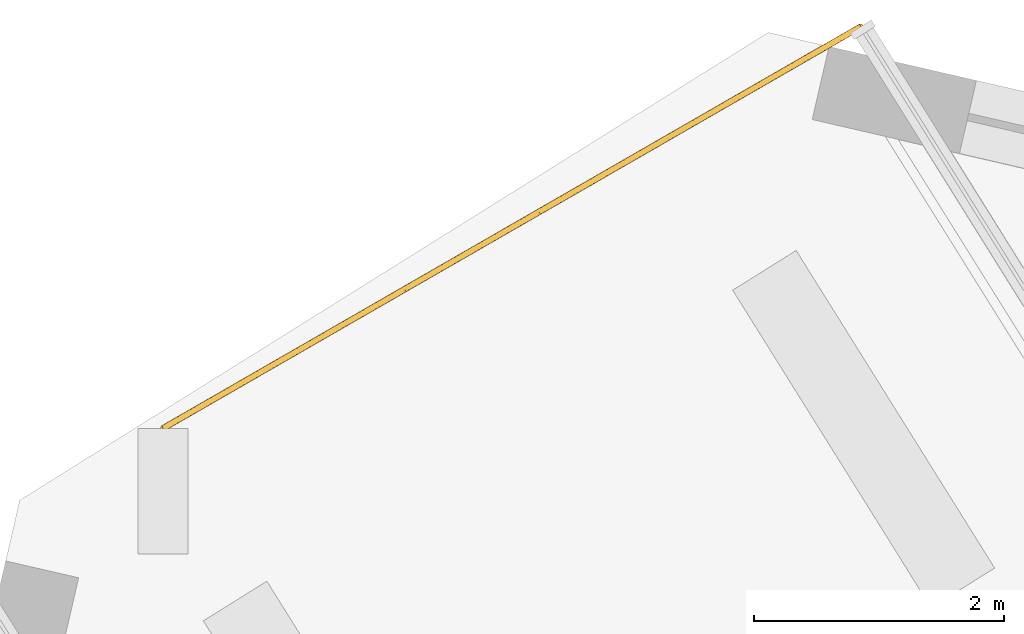
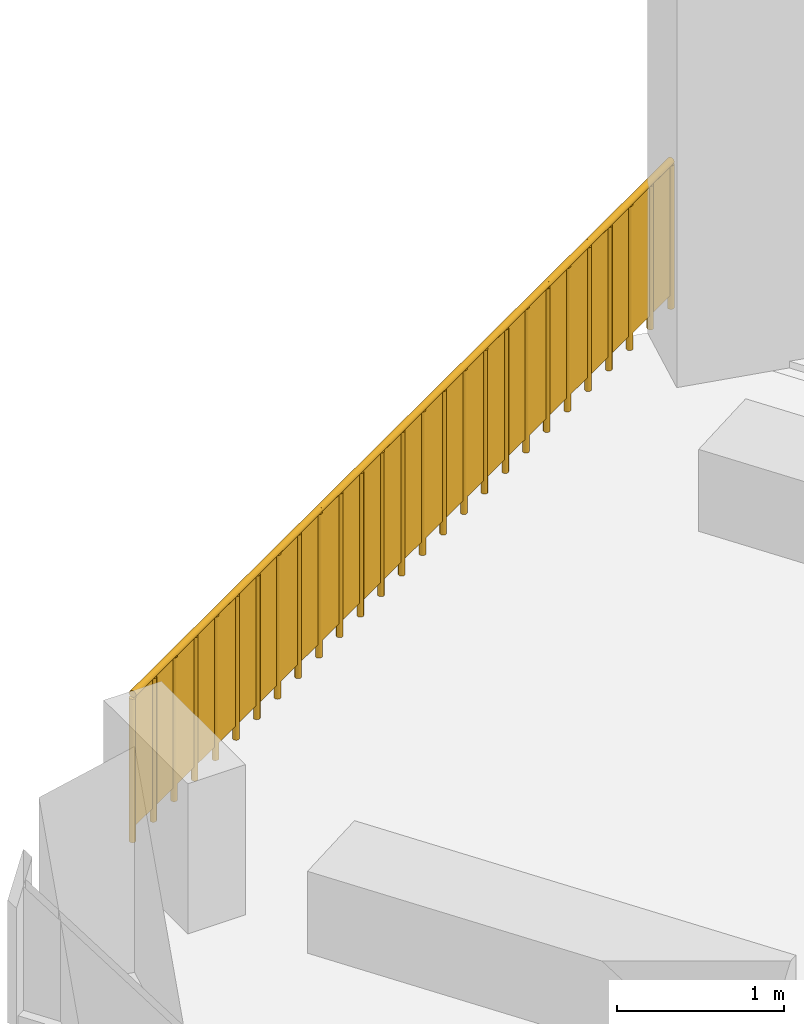
# One storey, part 13 of 14: 1 railing.
"""IFC4 building model written with IfcOpenShell, lengths in metres."""

from ifc_helpers import new_model, si_unit, direction, frame, origin, origin_2d, place, context, subcontext, project, spatial, rectangle, circle, extrude, material, type_object, element, save


model = new_model("IFC4")

# Units and contexts
model_context = context("Model", 3, precision=1e-05, world=origin(), true_north=direction((0.0, 1.0)))
body_context = subcontext(model_context, "Body", "Model", "MODEL_VIEW")
ifc_project = project(units=[si_unit("LENGTHUNIT", "METRE"), si_unit("AREAUNIT", "SQUARE_METRE"), si_unit("VOLUMEUNIT", "CUBIC_METRE"), si_unit("PLANEANGLEUNIT", "RADIAN"), si_unit("MASSUNIT", "GRAM", prefix="KILO")], contexts=[model_context])

# Site, building, storey
site_placement = place(None, origin())
site = spatial("IfcSite", under=ifc_project, at=site_placement, CompositionType="ELEMENT")
building_placement = place(site_placement, origin())
building = spatial("IfcBuilding", under=site, at=building_placement, Name="Dilmun Exchange Tower", CompositionType="ELEMENT")
storey_placement = place(building_placement, frame((0.0, 0.0, 332.5)))
storey = spatial("IfcBuildingStorey", under=building, at=storey_placement, Name="L79", CompositionType="ELEMENT", Elevation=332.5)

# Railing
ifc_material = material(Name="Stainless steel", Category="steel")
railing_type = type_object("IfcRailingType", Name="Terrace guard 1100 stainless steel", PredefinedType="GUARDRAIL", material=ifc_material)
railing_placement = place(storey_placement, frame((-13.946044921875, 34.2265625, 0.0)))
element("IfcRailing", 1, at=railing_placement, inside=storey, type_object=railing_type, Name="Terrace guard 1", PredefinedType="GUARDRAIL", context=body_context, shape_type="SweptSolid", body=[
    extrude(circle(Radius=0.02392578125, at=origin_2d()), frame((0.0, 0.0, 1.076171875), z_axis=(-0.866480498288, -0.499210923445, 0.0), x_axis=(0.499210923445, -0.866480498288, 0.0)), (0.0, 0.0, 1.0), 0.248046875),
    extrude(rectangle(XDim=0.011962890625, YDim=0.951904296875, at=origin_2d()), frame((0.0, 0.0, 0.576171875), z_axis=(-0.866480498288, -0.499210923445, 0.0), x_axis=(0.499210923445, -0.866480498288, 0.0)), (0.0, 0.0, 1.0), 0.248046875),
    extrude(circle(Radius=0.02392578125, at=origin_2d()), frame((-0.21484375, -0.123779296875, 1.076171875), z_axis=(-0.866725567477, -0.498785315222, 0.0), x_axis=(0.498785315222, -0.866725567477, 0.0)), (0.0, 0.0, 1.0), 0.248046875),
    extrude(rectangle(XDim=0.011962890625, YDim=0.951904296875, at=origin_2d()), frame((-0.21484375, -0.123779296875, 0.576171875), z_axis=(-0.866725567477, -0.498785315222, 0.0), x_axis=(0.498785315222, -0.866725567477, 0.0)), (0.0, 0.0, 1.0), 0.248046875),
    extrude(circle(Radius=0.02392578125, at=origin_2d()), frame((-0.429931640625, -0.24755859375, 1.076171875), z_axis=(-0.866480498288, -0.499210923445, 0.0), x_axis=(0.499210923445, -0.866480498288, 0.0)), (0.0, 0.0, 1.0), 0.248046875),
    extrude(rectangle(XDim=0.011962890625, YDim=0.951904296875, at=origin_2d()), frame((-0.429931640625, -0.24755859375, 0.576171875), z_axis=(-0.866480498288, -0.499210923445, 0.0), x_axis=(0.499210923445, -0.866480498288, 0.0)), (0.0, 0.0, 1.0), 0.248046875),
    extrude(circle(Radius=0.02392578125, at=origin_2d()), frame((-0.644775390625, -0.371337890625, 1.076171875), z_axis=(-0.866725567477, -0.498785315222, 0.0), x_axis=(0.498785315222, -0.866725567477, 0.0)), (0.0, 0.0, 1.0), 0.248046875),
    extrude(rectangle(XDim=0.011962890625, YDim=0.951904296875, at=origin_2d()), frame((-0.644775390625, -0.371337890625, 0.576171875), z_axis=(-0.866725567477, -0.498785315222, 0.0), x_axis=(0.498785315222, -0.866725567477, 0.0)), (0.0, 0.0, 1.0), 0.248046875),
    extrude(circle(Radius=0.02392578125, at=origin_2d()), frame((-0.85986328125, -0.4951171875, 1.076171875), z_axis=(-0.866906303058, -0.498471124258, 0.0), x_axis=(0.498471124258, -0.866906303058, 0.0)), (0.0, 0.0, 1.0), 0.247802734375),
    extrude(rectangle(XDim=0.011962890625, YDim=0.951904296875, at=origin_2d()), frame((-0.85986328125, -0.4951171875, 0.576171875), z_axis=(-0.866906303058, -0.498471124258, 0.0), x_axis=(0.498471124258, -0.866906303058, 0.0)), (0.0, 0.0, 1.0), 0.247802734375),
    extrude(circle(Radius=0.02392578125, at=origin_2d()), frame((-1.07470703125, -0.61865234375, 1.076171875), z_axis=(-0.866054481515, -0.499949632511, 0.0), x_axis=(0.499949632511, -0.866054481515, 0.0)), (0.0, 0.0, 1.0), 0.248046875),
    extrude(rectangle(XDim=0.011962890625, YDim=0.951904296875, at=origin_2d()), frame((-1.07470703125, -0.61865234375, 0.576171875), z_axis=(-0.866054481515, -0.499949632511, 0.0), x_axis=(0.499949632511, -0.866054481515, 0.0)), (0.0, 0.0, 1.0), 0.248046875),
    extrude(circle(Radius=0.02392578125, at=origin_2d()), frame((-1.28955078125, -0.74267578125, 1.076171875), z_axis=(-0.867150766199, -0.498045729508, 0.0), x_axis=(0.498045729508, -0.867150766199, 0.0)), (0.0, 0.0, 1.0), 0.248046875),
    extrude(rectangle(XDim=0.011962890625, YDim=0.951904296875, at=origin_2d()), frame((-1.28955078125, -0.74267578125, 0.576171875), z_axis=(-0.867150766199, -0.498045729508, 0.0), x_axis=(0.498045729508, -0.867150766199, 0.0)), (0.0, 0.0, 1.0), 0.248046875),
    extrude(circle(Radius=0.02392578125, at=origin_2d()), frame((-1.504638671875, -0.8662109375, 1.076171875), z_axis=(-0.866480498288, -0.499210923445, 0.0), x_axis=(0.499210923445, -0.866480498288, 0.0)), (0.0, 0.0, 1.0), 0.248046875),
    extrude(rectangle(XDim=0.011962890625, YDim=0.951904296875, at=origin_2d()), frame((-1.504638671875, -0.8662109375, 0.576171875), z_axis=(-0.866480498288, -0.499210923445, 0.0), x_axis=(0.499210923445, -0.866480498288, 0.0)), (0.0, 0.0, 1.0), 0.248046875),
    extrude(circle(Radius=0.02392578125, at=origin_2d()), frame((-1.719482421875, -0.989990234375, 1.076171875), z_axis=(-0.866725567477, -0.498785315222, 0.0), x_axis=(0.498785315222, -0.866725567477, 0.0)), (0.0, 0.0, 1.0), 0.248046875),
    extrude(rectangle(XDim=0.011962890625, YDim=0.951904296875, at=origin_2d()), frame((-1.719482421875, -0.989990234375, 0.576171875), z_axis=(-0.866725567477, -0.498785315222, 0.0), x_axis=(0.498785315222, -0.866725567477, 0.0)), (0.0, 0.0, 1.0), 0.248046875),
    extrude(circle(Radius=0.02392578125, at=origin_2d()), frame((-1.9345703125, -1.11376953125, 1.076171875), z_axis=(-0.866480498288, -0.499210923445, 0.0), x_axis=(0.499210923445, -0.866480498288, 0.0)), (0.0, 0.0, 1.0), 0.248046875),
    extrude(rectangle(XDim=0.011962890625, YDim=0.951904296875, at=origin_2d()), frame((-1.9345703125, -1.11376953125, 0.576171875), z_axis=(-0.866480498288, -0.499210923445, 0.0), x_axis=(0.499210923445, -0.866480498288, 0.0)), (0.0, 0.0, 1.0), 0.248046875),
    extrude(circle(Radius=0.02392578125, at=origin_2d()), frame((-2.1494140625, -1.237548828125, 1.076171875), z_axis=(-0.866480498288, -0.499210923445, 0.0), x_axis=(0.499210923445, -0.866480498288, 0.0)), (0.0, 0.0, 1.0), 0.248046875),
    extrude(rectangle(XDim=0.011962890625, YDim=0.951904296875, at=origin_2d()), frame((-2.1494140625, -1.237548828125, 0.576171875), z_axis=(-0.866480498288, -0.499210923445, 0.0), x_axis=(0.499210923445, -0.866480498288, 0.0)), (0.0, 0.0, 1.0), 0.248046875),
    extrude(circle(Radius=0.02392578125, at=origin_2d()), frame((-2.3642578125, -1.361328125, 1.076171875), z_axis=(-0.866725567477, -0.498785315222, 0.0), x_axis=(0.498785315222, -0.866725567477, 0.0)), (0.0, 0.0, 1.0), 0.248046875),
    extrude(rectangle(XDim=0.011962890625, YDim=0.951904296875, at=origin_2d()), frame((-2.3642578125, -1.361328125, 0.576171875), z_axis=(-0.866725567477, -0.498785315222, 0.0), x_axis=(0.498785315222, -0.866725567477, 0.0)), (0.0, 0.0, 1.0), 0.248046875),
    extrude(circle(Radius=0.02392578125, at=origin_2d()), frame((-2.579345703125, -1.485107421875, 1.076171875), z_axis=(-0.866906303058, -0.498471124258, 0.0), x_axis=(0.498471124258, -0.866906303058, 0.0)), (0.0, 0.0, 1.0), 0.247802734375),
    extrude(rectangle(XDim=0.011962890625, YDim=0.951904296875, at=origin_2d()), frame((-2.579345703125, -1.485107421875, 0.576171875), z_axis=(-0.866906303058, -0.498471124258, 0.0), x_axis=(0.498471124258, -0.866906303058, 0.0)), (0.0, 0.0, 1.0), 0.247802734375),
    extrude(circle(Radius=0.02392578125, at=origin_2d()), frame((-2.794189453125, -1.608642578125, 1.076171875), z_axis=(-0.866054481515, -0.499949632511, 0.0), x_axis=(0.499949632511, -0.866054481515, 0.0)), (0.0, 0.0, 1.0), 0.248046875),
    extrude(rectangle(XDim=0.011962890625, YDim=0.951904296875, at=origin_2d()), frame((-2.794189453125, -1.608642578125, 0.576171875), z_axis=(-0.866054481515, -0.499949632511, 0.0), x_axis=(0.499949632511, -0.866054481515, 0.0)), (0.0, 0.0, 1.0), 0.248046875),
    extrude(circle(Radius=0.02392578125, at=origin_2d()), frame((-3.009033203125, -1.732666015625, 1.076171875), z_axis=(-0.867150766199, -0.498045729508, 0.0), x_axis=(0.498045729508, -0.867150766199, 0.0)), (0.0, 0.0, 1.0), 0.248046875),
    extrude(rectangle(XDim=0.011962890625, YDim=0.951904296875, at=origin_2d()), frame((-3.009033203125, -1.732666015625, 0.576171875), z_axis=(-0.867150766199, -0.498045729508, 0.0), x_axis=(0.498045729508, -0.867150766199, 0.0)), (0.0, 0.0, 1.0), 0.248046875),
    extrude(circle(Radius=0.02392578125, at=origin_2d()), frame((-3.22412109375, -1.856201171875, 1.076171875), z_axis=(-0.866480498288, -0.499210923445, 0.0), x_axis=(0.499210923445, -0.866480498288, 0.0)), (0.0, 0.0, 1.0), 0.248046875),
    extrude(rectangle(XDim=0.011962890625, YDim=0.951904296875, at=origin_2d()), frame((-3.22412109375, -1.856201171875, 0.576171875), z_axis=(-0.866480498288, -0.499210923445, 0.0), x_axis=(0.499210923445, -0.866480498288, 0.0)), (0.0, 0.0, 1.0), 0.248046875),
    extrude(circle(Radius=0.02392578125, at=origin_2d()), frame((-3.43896484375, -1.97998046875, 1.076171875), z_axis=(-0.866725567477, -0.498785315222, 0.0), x_axis=(0.498785315222, -0.866725567477, 0.0)), (0.0, 0.0, 1.0), 0.248046875),
    extrude(rectangle(XDim=0.011962890625, YDim=0.951904296875, at=origin_2d()), frame((-3.43896484375, -1.97998046875, 0.576171875), z_axis=(-0.866725567477, -0.498785315222, 0.0), x_axis=(0.498785315222, -0.866725567477, 0.0)), (0.0, 0.0, 1.0), 0.248046875),
    extrude(circle(Radius=0.02392578125, at=origin_2d()), frame((-3.654052734375, -2.103759765625, 1.076171875), z_axis=(-0.866480498288, -0.499210923445, 0.0), x_axis=(0.499210923445, -0.866480498288, 0.0)), (0.0, 0.0, 1.0), 0.248046875),
    extrude(rectangle(XDim=0.011962890625, YDim=0.951904296875, at=origin_2d()), frame((-3.654052734375, -2.103759765625, 0.576171875), z_axis=(-0.866480498288, -0.499210923445, 0.0), x_axis=(0.499210923445, -0.866480498288, 0.0)), (0.0, 0.0, 1.0), 0.248046875),
    extrude(circle(Radius=0.02392578125, at=origin_2d()), frame((-3.868896484375, -2.2275390625, 1.076171875), z_axis=(-0.866480498288, -0.499210923445, 0.0), x_axis=(0.499210923445, -0.866480498288, 0.0)), (0.0, 0.0, 1.0), 0.248046875),
    extrude(rectangle(XDim=0.011962890625, YDim=0.951904296875, at=origin_2d()), frame((-3.868896484375, -2.2275390625, 0.576171875), z_axis=(-0.866480498288, -0.499210923445, 0.0), x_axis=(0.499210923445, -0.866480498288, 0.0)), (0.0, 0.0, 1.0), 0.248046875),
    extrude(circle(Radius=0.02392578125, at=origin_2d()), frame((-4.083740234375, -2.351318359375, 1.076171875), z_axis=(-0.867150766199, -0.498045729508, 0.0), x_axis=(0.498045729508, -0.867150766199, 0.0)), (0.0, 0.0, 1.0), 0.248046875),
    extrude(rectangle(XDim=0.011962890625, YDim=0.951904296875, at=origin_2d()), frame((-4.083740234375, -2.351318359375, 0.576171875), z_axis=(-0.867150766199, -0.498045729508, 0.0), x_axis=(0.498045729508, -0.867150766199, 0.0)), (0.0, 0.0, 1.0), 0.248046875),
    extrude(circle(Radius=0.02392578125, at=origin_2d()), frame((-4.298828125, -2.474853515625, 1.076171875), z_axis=(-0.866054481515, -0.499949632511, 0.0), x_axis=(0.499949632511, -0.866054481515, 0.0)), (0.0, 0.0, 1.0), 0.248046875),
    extrude(rectangle(XDim=0.011962890625, YDim=0.951904296875, at=origin_2d()), frame((-4.298828125, -2.474853515625, 0.576171875), z_axis=(-0.866054481515, -0.499949632511, 0.0), x_axis=(0.499949632511, -0.866054481515, 0.0)), (0.0, 0.0, 1.0), 0.248046875),
    extrude(circle(Radius=0.02392578125, at=origin_2d()), frame((-4.513671875, -2.598876953125, 1.076171875), z_axis=(-0.867150766199, -0.498045729508, 0.0), x_axis=(0.498045729508, -0.867150766199, 0.0)), (0.0, 0.0, 1.0), 0.248046875),
    extrude(rectangle(XDim=0.011962890625, YDim=0.951904296875, at=origin_2d()), frame((-4.513671875, -2.598876953125, 0.576171875), z_axis=(-0.867150766199, -0.498045729508, 0.0), x_axis=(0.498045729508, -0.867150766199, 0.0)), (0.0, 0.0, 1.0), 0.248046875),
    extrude(circle(Radius=0.02392578125, at=origin_2d()), frame((-4.728759765625, -2.722412109375, 1.076171875), z_axis=(-0.866480498288, -0.499210923445, 0.0), x_axis=(0.499210923445, -0.866480498288, 0.0)), (0.0, 0.0, 1.0), 0.248046875),
    extrude(rectangle(XDim=0.011962890625, YDim=0.951904296875, at=origin_2d()), frame((-4.728759765625, -2.722412109375, 0.576171875), z_axis=(-0.866480498288, -0.499210923445, 0.0), x_axis=(0.499210923445, -0.866480498288, 0.0)), (0.0, 0.0, 1.0), 0.248046875),
    extrude(circle(Radius=0.02392578125, at=origin_2d()), frame((-4.943603515625, -2.84619140625, 1.076171875), z_axis=(-0.866480498288, -0.499210923445, 0.0), x_axis=(0.499210923445, -0.866480498288, 0.0)), (0.0, 0.0, 1.0), 0.248046875),
    extrude(rectangle(XDim=0.011962890625, YDim=0.951904296875, at=origin_2d()), frame((-4.943603515625, -2.84619140625, 0.576171875), z_axis=(-0.866480498288, -0.499210923445, 0.0), x_axis=(0.499210923445, -0.866480498288, 0.0)), (0.0, 0.0, 1.0), 0.248046875),
    extrude(circle(Radius=0.02392578125, at=origin_2d()), frame((-5.158447265625, -2.969970703125, 1.076171875), z_axis=(-0.866725567477, -0.498785315222, 0.0), x_axis=(0.498785315222, -0.866725567477, 0.0)), (0.0, 0.0, 1.0), 0.248046875),
    extrude(rectangle(XDim=0.011962890625, YDim=0.951904296875, at=origin_2d()), frame((-5.158447265625, -2.969970703125, 0.576171875), z_axis=(-0.866725567477, -0.498785315222, 0.0), x_axis=(0.498785315222, -0.866725567477, 0.0)), (0.0, 0.0, 1.0), 0.248046875),
    extrude(circle(Radius=0.02392578125, at=origin_2d()), frame((-5.37353515625, -3.09375, 1.076171875), z_axis=(-0.866480498288, -0.499210923445, 0.0), x_axis=(0.499210923445, -0.866480498288, 0.0)), (0.0, 0.0, 1.0), 0.248046875),
    extrude(rectangle(XDim=0.011962890625, YDim=0.951904296875, at=origin_2d()), frame((-5.37353515625, -3.09375, 0.576171875), z_axis=(-0.866480498288, -0.499210923445, 0.0), x_axis=(0.499210923445, -0.866480498288, 0.0)), (0.0, 0.0, 1.0), 0.248046875),
    extrude(circle(Radius=0.02099609375, at=origin_2d()), origin(), (0.0, 0.0, 1.0), 1.052001953125),
    extrude(circle(Radius=0.02099609375, at=origin_2d()), frame((-0.21484375, -0.123779296875, 0.0)), (0.0, 0.0, 1.0), 1.052001953125),
    extrude(circle(Radius=0.02099609375, at=origin_2d()), frame((-0.429931640625, -0.24755859375, 0.0)), (0.0, 0.0, 1.0), 1.052001953125),
    extrude(circle(Radius=0.02099609375, at=origin_2d()), frame((-0.644775390625, -0.371337890625, 0.0)), (0.0, 0.0, 1.0), 1.052001953125),
    extrude(circle(Radius=0.02099609375, at=origin_2d()), frame((-0.85986328125, -0.4951171875, 0.0)), (0.0, 0.0, 1.0), 1.052001953125),
    extrude(circle(Radius=0.02099609375, at=origin_2d()), frame((-1.07470703125, -0.61865234375, 0.0)), (0.0, 0.0, 1.0), 1.052001953125),
    extrude(circle(Radius=0.02099609375, at=origin_2d()), frame((-1.28955078125, -0.74267578125, 0.0)), (0.0, 0.0, 1.0), 1.052001953125),
    extrude(circle(Radius=0.02099609375, at=origin_2d()), frame((-1.504638671875, -0.8662109375, 0.0)), (0.0, 0.0, 1.0), 1.052001953125),
    extrude(circle(Radius=0.02099609375, at=origin_2d()), frame((-1.719482421875, -0.989990234375, 0.0)), (0.0, 0.0, 1.0), 1.052001953125),
    extrude(circle(Radius=0.02099609375, at=origin_2d()), frame((-1.9345703125, -1.11376953125, 0.0)), (0.0, 0.0, 1.0), 1.052001953125),
    extrude(circle(Radius=0.02099609375, at=origin_2d()), frame((-2.1494140625, -1.237548828125, 0.0)), (0.0, 0.0, 1.0), 1.052001953125),
    extrude(circle(Radius=0.02099609375, at=origin_2d()), frame((-2.3642578125, -1.361328125, 0.0)), (0.0, 0.0, 1.0), 1.052001953125),
    extrude(circle(Radius=0.02099609375, at=origin_2d()), frame((-2.579345703125, -1.485107421875, 0.0)), (0.0, 0.0, 1.0), 1.052001953125),
    extrude(circle(Radius=0.02099609375, at=origin_2d()), frame((-2.794189453125, -1.608642578125, 0.0)), (0.0, 0.0, 1.0), 1.052001953125),
    extrude(circle(Radius=0.02099609375, at=origin_2d()), frame((-3.009033203125, -1.732666015625, 0.0)), (0.0, 0.0, 1.0), 1.052001953125),
    extrude(circle(Radius=0.02099609375, at=origin_2d()), frame((-3.22412109375, -1.856201171875, 0.0)), (0.0, 0.0, 1.0), 1.052001953125),
    extrude(circle(Radius=0.02099609375, at=origin_2d()), frame((-3.43896484375, -1.97998046875, 0.0)), (0.0, 0.0, 1.0), 1.052001953125),
    extrude(circle(Radius=0.02099609375, at=origin_2d()), frame((-3.654052734375, -2.103759765625, 0.0)), (0.0, 0.0, 1.0), 1.052001953125),
    extrude(circle(Radius=0.02099609375, at=origin_2d()), frame((-3.868896484375, -2.2275390625, 0.0)), (0.0, 0.0, 1.0), 1.052001953125),
    extrude(circle(Radius=0.02099609375, at=origin_2d()), frame((-4.083740234375, -2.351318359375, 0.0)), (0.0, 0.0, 1.0), 1.052001953125),
    extrude(circle(Radius=0.02099609375, at=origin_2d()), frame((-4.298828125, -2.474853515625, 0.0)), (0.0, 0.0, 1.0), 1.052001953125),
    extrude(circle(Radius=0.02099609375, at=origin_2d()), frame((-4.513671875, -2.598876953125, 0.0)), (0.0, 0.0, 1.0), 1.052001953125),
    extrude(circle(Radius=0.02099609375, at=origin_2d()), frame((-4.728759765625, -2.722412109375, 0.0)), (0.0, 0.0, 1.0), 1.052001953125),
    extrude(circle(Radius=0.02099609375, at=origin_2d()), frame((-4.943603515625, -2.84619140625, 0.0)), (0.0, 0.0, 1.0), 1.052001953125),
    extrude(circle(Radius=0.02099609375, at=origin_2d()), frame((-5.158447265625, -2.969970703125, 0.0)), (0.0, 0.0, 1.0), 1.052001953125),
    extrude(circle(Radius=0.02099609375, at=origin_2d()), frame((-5.37353515625, -3.09375, 0.0)), (0.0, 0.0, 1.0), 1.052001953125),
    extrude(circle(Radius=0.02099609375, at=origin_2d()), frame((-5.58837890625, -3.217529296875, 0.0)), (0.0, 0.0, 1.0), 1.052001953125),
])

save(model, "model.ifc")
